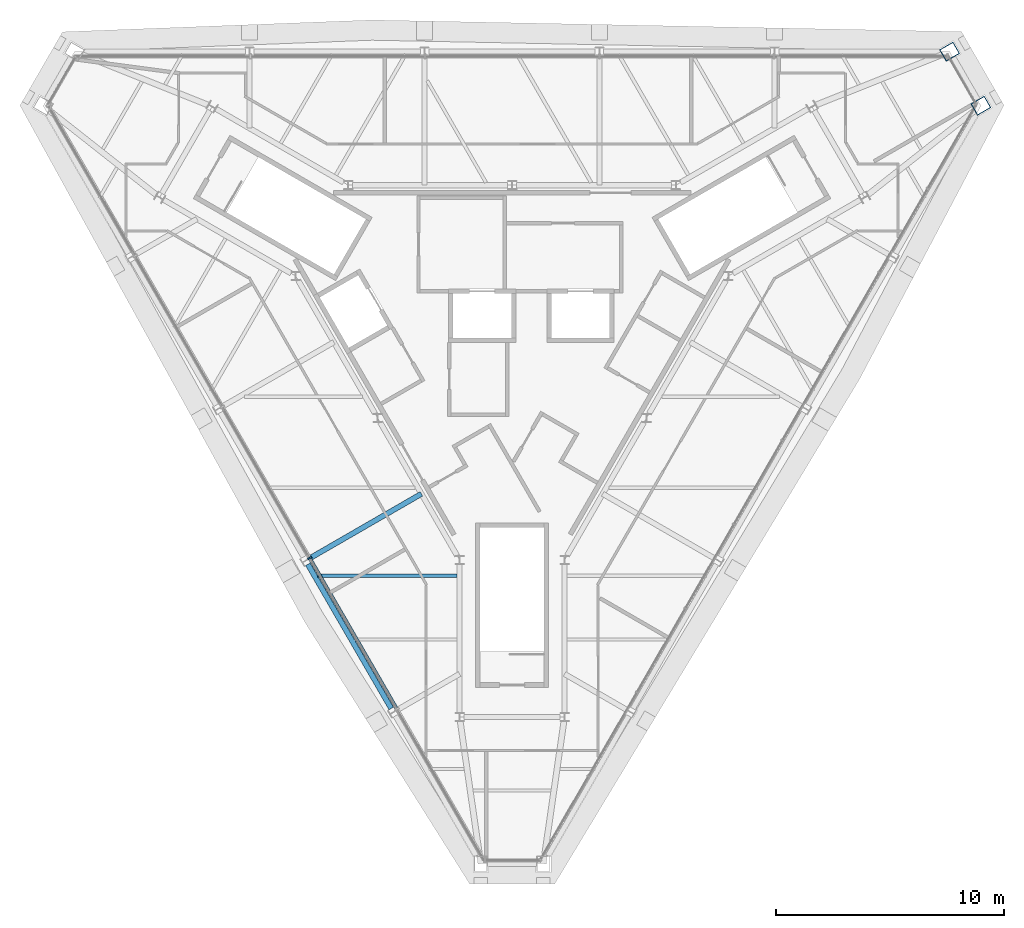
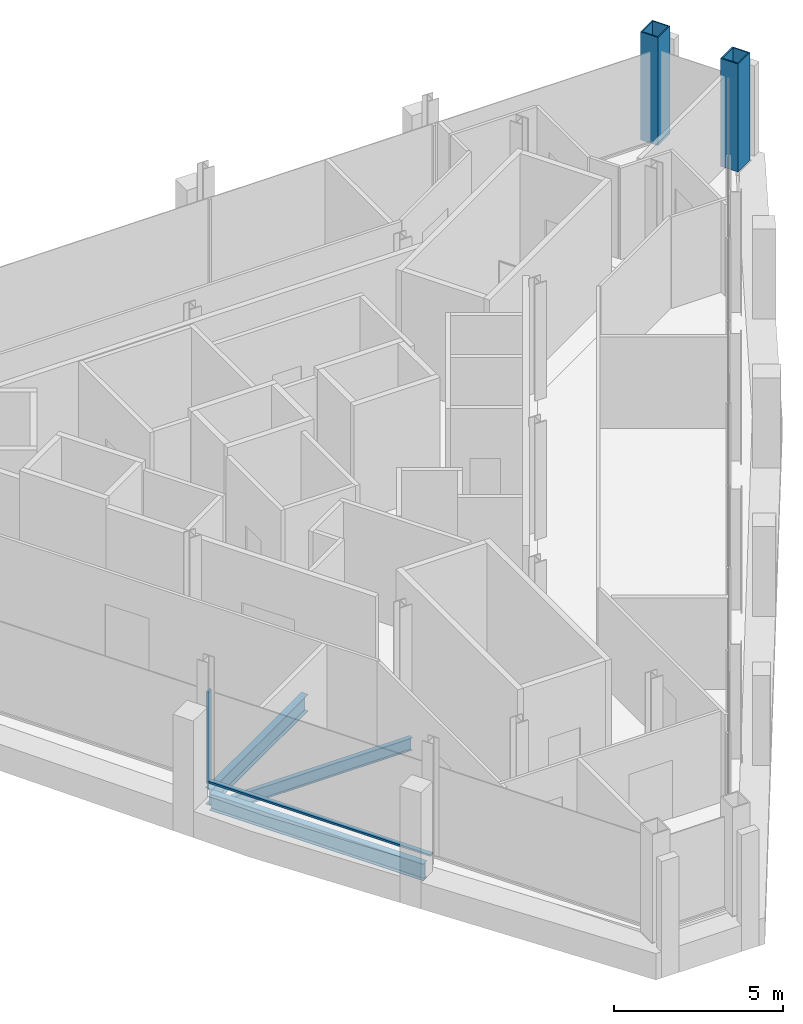
# One storey, part 2 of 11: 3 beams, 2 columns, 2 members, 1 element without a shape of its own.
"""IFC4 building model written with IfcOpenShell, lengths in metres."""

from ifc_helpers import new_model, si_unit, direction, frame, origin, origin_2d, place, context, subcontext, project, spatial, rectangle, hollow_rectangle, i_section, extrude, material, material_profile, profile_set, type_object, element, aggregate, save


model = new_model("IFC4")

# Units and contexts
model_context = context("Model", 3, precision=1e-05, world=origin(), true_north=direction((0.0, 1.0)))
body_context = subcontext(model_context, "Body", "Model", "MODEL_VIEW")
ifc_project = project(units=[si_unit("LENGTHUNIT", "METRE"), si_unit("AREAUNIT", "SQUARE_METRE"), si_unit("VOLUMEUNIT", "CUBIC_METRE"), si_unit("PLANEANGLEUNIT", "RADIAN"), si_unit("MASSUNIT", "GRAM", prefix="KILO")], contexts=[model_context])

# Site, building, storey
site_placement = place(None, origin())
site = spatial("IfcSite", under=ifc_project, at=site_placement, CompositionType="ELEMENT")
building_placement = place(site_placement, origin())
building = spatial("IfcBuilding", under=site, at=building_placement, Name="Verrane Prism Tower", CompositionType="ELEMENT")
storey_placement = place(building_placement, frame((0.0, 0.0, 329.39990234375)))
storey = spatial("IfcBuildingStorey", under=building, at=storey_placement, Name="L83", CompositionType="ELEMENT", Elevation=329.39990234375)

# Columns
ifc_material_1 = material(Name="Steel A572 Grade 50", Category="steel")
ifc_material_profile_1 = material_profile(ifc_material_1, hollow_rectangle(XDim=0.60009765625, YDim=0.699951171875, WallThickness=0.0400390625, at=origin_2d()), Name="BOX 700x600x40")
ifc_profile_set_1 = profile_set([ifc_material_profile_1], Name="Steel A572 Grade 50")
column_type = type_object("IfcColumnType", Name="Megacolumn BOX 700x600x40", PredefinedType="COLUMN", material=ifc_profile_set_1)
for number, where, z_axis, x_axis, name in (
    (1, (19.169921875, 12.64990234375, 0.0), (0.0, 0.0, 1.0), (0.5, -0.866025403784, 0.0), "Megacolumn MC-NE.b L83"),
    (2, (20.5400390625, 10.280029296875, 0.0), (0.0, 0.0, 1.0), (0.5, -0.866025403784, 0.0), "Megacolumn MC-NE.a L83"),
):
    element("IfcColumn", number, at=place(storey_placement, frame(where, z_axis=z_axis, x_axis=x_axis)), inside=storey, type_object=column_type, Name=name, PredefinedType="COLUMN", context=body_context, shape_type="SweptSolid", body=[
        extrude(hollow_rectangle(XDim=0.60009765625, YDim=0.699951171875, WallThickness=0.0400390625, at=origin_2d()), origin(), (0.0, 0.0, 1.0), 3.900146484375),
    ])

# Beam
ifc_material_2 = material(Name="Steel A992", Category="steel")
ifc_material_profile_2 = material_profile(ifc_material_2, i_section(OverallWidth=0.15234375, OverallDepth=0.449462890625, WebThickness=0.007568359375, FlangeThickness=0.0107421875, FilletRadius=0.01025390625, at=origin_2d()), Name="W18x35")
ifc_profile_set_2 = profile_set([ifc_material_profile_2], Name="Steel A992")
beam_type_1 = type_object("IfcBeamType", Name="Floor beam W18x35", PredefinedType="BEAM", material=ifc_profile_set_2)
beam_1_placement = place(storey_placement, frame((-8.526611328125, -10.31005859375, -0.384765625), z_axis=(1.0, 0.0, 0.0), x_axis=(0.0, 1.0, 0.0)))
element("IfcBeam", 3, at=beam_1_placement, inside=storey, type_object=beam_type_1, Name="Floor beam L83", PredefinedType="BEAM", context=body_context, shape_type="SweptSolid", body=[
    extrude(i_section(OverallWidth=0.15234375, OverallDepth=0.449462890625, WebThickness=0.007568359375, FlangeThickness=0.0107421875, FilletRadius=0.01025390625, at=origin_2d()), origin(), (0.0, 0.0, 1.0), 6.112548828125),
])

# Curtain wall, member
ifc_material_3 = material(Name="Aluminium framed insulated glazing", Category="aluminium")
curtain_wall_type = type_object("IfcCurtainWallType", Name="Curtain wall CW-A 8400 module", PredefinedType="NOTDEFINED", material=ifc_material_3)
curtain_wall_placement = place(storey_placement, origin())
curtain_wall = element("IfcCurtainWall", 4, at=curtain_wall_placement, inside=storey, type_object=curtain_wall_type, Name="Glazed curtain wall south-west face L83", PredefinedType="NOTDEFINED")
ifc_material_4 = material(Name="Aluminium alloy 6063-T6", Category="aluminium")
ifc_material_profile_3 = material_profile(ifc_material_4, rectangle(XDim=0.199951171875, YDim=0.070068359375, at=origin_2d()), Name="Mullion 70x200 aluminium")
ifc_profile_set_3 = profile_set([ifc_material_profile_3], Name="Aluminium alloy 6063-T6")
member_type_1 = type_object("IfcMemberType", Name="Mullion 70x200 aluminium", PredefinedType="MULLION", material=ifc_profile_set_3)
member_1_placement = place(storey_placement, frame((-8.8681640625, -9.5341796875, 0.0), z_axis=(0.0, 0.0, 1.0), x_axis=(0.866025278644, 0.500000216749, 0.0)))
member_1 = element("IfcMember", 5, at=member_1_placement, type_object=member_type_1, Name="CW83.4 mullion 4", PredefinedType="MULLION", context=body_context, shape_type="SweptSolid", body=[
    extrude(rectangle(XDim=0.199951171875, YDim=0.070068359375, at=origin_2d()), origin(), (0.0, 0.0, 1.0), 3.296875),
])

# Beams
ifc_material_5 = material(Name="Steel A992", Category="steel")
ifc_material_profile_4 = material_profile(ifc_material_5, i_section(OverallWidth=0.228271484375, OverallDepth=0.607177734375, WebThickness=0.01123046875, FlangeThickness=0.017333984375, FilletRadius=0.0126953125, at=origin_2d()), Name="W24x76")
ifc_profile_set_4 = profile_set([ifc_material_profile_4], Name="Steel A992")
beam_type_2 = type_object("IfcBeamType", Name="Radial girder W24x76", PredefinedType="BEAM", material=ifc_profile_set_4)
beam_2_placement = place(storey_placement, frame((-8.880615234375, -9.557861328125, -0.5234375), z_axis=(0.866039985572, 0.499974742752, 0.0), x_axis=(-0.499974742752, 0.866039985572, 0.0)))
element("IfcBeam", 6, at=beam_2_placement, inside=storey, type_object=beam_type_2, Name="Radial girder L83", PredefinedType="BEAM", context=body_context, shape_type="SweptSolid", body=[
    extrude(i_section(OverallWidth=0.228271484375, OverallDepth=0.607177734375, WebThickness=0.01123046875, FlangeThickness=0.017333984375, FilletRadius=0.0126953125, at=origin_2d()), origin(), (0.0, 0.0, 1.0), 5.668212890625),
])
ifc_material_6 = material(Name="Steel A992", Category="steel")
ifc_material_profile_5 = material_profile(ifc_material_6, i_section(OverallWidth=0.228271484375, OverallDepth=0.607177734375, WebThickness=0.01123046875, FlangeThickness=0.017333984375, FilletRadius=0.0126953125, at=origin_2d()), Name="W24x76")
ifc_profile_set_5 = profile_set([ifc_material_profile_5], Name="Steel A992")
beam_type_3 = type_object("IfcBeamType", Name="Spandrel beam W24x76", PredefinedType="SPANDREL", material=ifc_profile_set_5)
beam_3_placement = place(storey_placement, frame((-8.946533203125, -9.8115234375, -0.46337890625), z_axis=(0.50061813753, -0.865668227658, 0.0), x_axis=(0.865668227658, 0.50061813753, 0.0)))
element("IfcBeam", 7, at=beam_3_placement, inside=storey, type_object=beam_type_3, Name="Spandrel beam L83", PredefinedType="SPANDREL", context=body_context, shape_type="SweptSolid", body=[
    extrude(i_section(OverallWidth=0.228271484375, OverallDepth=0.607177734375, WebThickness=0.01123046875, FlangeThickness=0.017333984375, FilletRadius=0.0126953125, at=origin_2d()), origin(), (0.0, 0.0, 1.0), 7.297119140625),
])

# Member
ifc_material_7 = material(Name="Aluminium alloy 6063-T6", Category="aluminium")
ifc_material_profile_6 = material_profile(ifc_material_7, rectangle(XDim=0.14990234375, YDim=0.070068359375, at=origin_2d()), Name="Transom 70x150 aluminium")
ifc_profile_set_6 = profile_set([ifc_material_profile_6], Name="Aluminium alloy 6063-T6")
member_type_2 = type_object("IfcMemberType", Name="Transom 70x150 aluminium", PredefinedType="USERDEFINED", material=ifc_profile_set_6)
member_2_placement = place(storey_placement, frame((-8.8505859375, -9.564453125, 0.03515625), z_axis=(0.499972595749, -0.866041225058, 0.0), x_axis=(0.866041225058, 0.499972595749, 0.0)))
member_2 = element("IfcMember", 8, at=member_2_placement, type_object=member_type_2, Name="CW83.4 transom 4", ObjectType="TRANSOM", PredefinedType="USERDEFINED", context=body_context, shape_type="SweptSolid", body=[
    extrude(rectangle(XDim=0.14990234375, YDim=0.070068359375, at=origin_2d()), origin(), (0.0, 0.0, 1.0), 7.57568359375),
])

aggregate(curtain_wall, [member_1, member_2])

save(model, "model.ifc")
